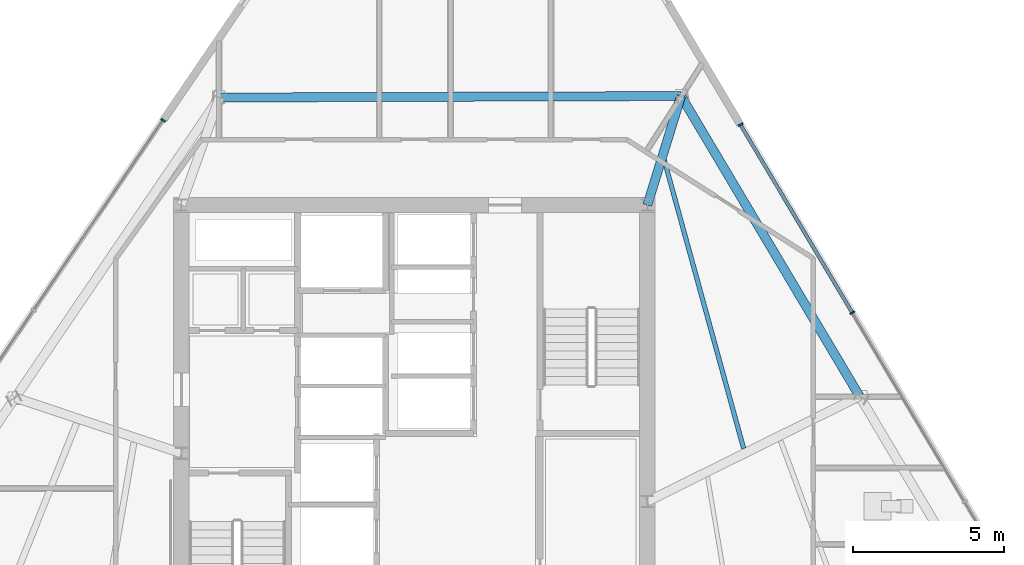
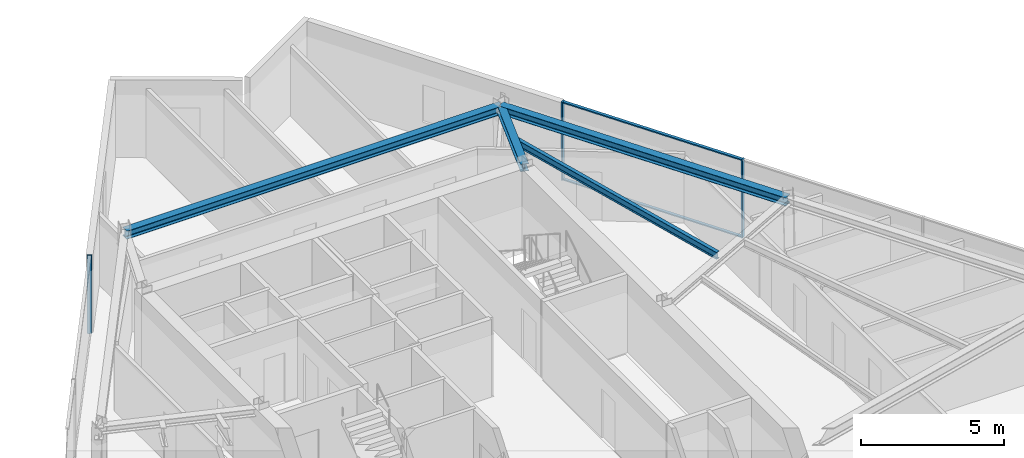
# One storey, part 6 of 14: 5 members, 4 beams, 2 elements without a shape of their own.
"""IFC4 building model written with IfcOpenShell, lengths in metres."""

from ifc_helpers import new_model, si_unit, direction, frame, origin, origin_2d, place, context, subcontext, project, spatial, rectangle, i_section, extrude, material, material_profile, profile_set, type_object, element, aggregate, save


model = new_model("IFC4")

# Units and contexts
model_context = context("Model", 3, precision=1e-05, world=origin(), true_north=direction((0.0, 1.0)))
body_context = subcontext(model_context, "Body", "Model", "MODEL_VIEW")
ifc_project = project(units=[si_unit("LENGTHUNIT", "METRE"), si_unit("AREAUNIT", "SQUARE_METRE"), si_unit("VOLUMEUNIT", "CUBIC_METRE"), si_unit("PLANEANGLEUNIT", "RADIAN"), si_unit("MASSUNIT", "GRAM", prefix="KILO")], contexts=[model_context])

# Site, building, storey
site_placement = place(None, origin())
site = spatial("IfcSite", under=ifc_project, at=site_placement, CompositionType="ELEMENT")
building_placement = place(site_placement, origin())
building = spatial("IfcBuilding", under=site, at=building_placement, Name="Savorim Split Tower", CompositionType="ELEMENT")
storey_placement = place(building_placement, frame((0.0, 0.0, 205.5)))
storey = spatial("IfcBuildingStorey", under=building, at=storey_placement, Name="L54", CompositionType="ELEMENT", Elevation=205.5)

# Beams
ifc_material_1 = material(Name="Steel S355", Category="steel")
ifc_material_profile_1 = material_profile(ifc_material_1, i_section(OverallWidth=0.14990234375, OverallDepth=0.300048828125, WebThickness=0.007080078125, FlangeThickness=0.0107421875, FilletRadius=0.014892578125, at=origin_2d()), Name="IPE 300")
ifc_profile_set_1 = profile_set([ifc_material_profile_1], Name="Steel S355")
beam_type_1 = type_object("IfcBeamType", Name="BM-JST-IPE300", PredefinedType="JOIST", material=ifc_profile_set_1)
beam_1_placement = place(storey_placement, frame((10.883056640625, 2.157470703125, 3.199951171875), z_axis=(-0.265399500236, 0.964138530127, 0.0), x_axis=(-0.964138530127, -0.265399500236, 0.0)))
element("IfcBeam", 1, at=beam_1_placement, inside=storey, type_object=beam_type_1, Name="L54 Secondary Floor Joist JS-07", PredefinedType="JOIST", context=body_context, shape_type="SweptSolid", body=[
    extrude(i_section(OverallWidth=0.14990234375, OverallDepth=0.300048828125, WebThickness=0.007080078125, FlangeThickness=0.0107421875, FilletRadius=0.014892578125, at=origin_2d()), origin(), (0.0, 0.0, 1.0), 9.89990234375),
])
ifc_material_profile_2 = material_profile(ifc_material_1, i_section(OverallWidth=0.300048828125, OverallDepth=0.320068359375, WebThickness=0.011474609375, FlangeThickness=0.0205078125, FilletRadius=0.027099609375, at=origin_2d()), Name="HEB 320")
ifc_profile_set_2 = profile_set([ifc_material_profile_2], Name="Steel S355")
beam_type_2 = type_object("IfcBeamType", Name="BM-PRI-HEB320", PredefinedType="BEAM", material=ifc_profile_set_2)
beam_2_placement = place(storey_placement, frame((8.8154296875, 13.8017578125, 3.18994140625), z_axis=(-0.295837071292, -0.955238413826, 0.0), x_axis=(0.955238413826, -0.295837071292, 0.0)))
element("IfcBeam", 2, at=beam_2_placement, inside=storey, type_object=beam_type_2, Name="L54 Primary Floor Girder RG-07", PredefinedType="BEAM", context=body_context, shape_type="SweptSolid", body=[
    extrude(i_section(OverallWidth=0.300048828125, OverallDepth=0.320068359375, WebThickness=0.011474609375, FlangeThickness=0.0205078125, FilletRadius=0.027099609375, at=origin_2d()), origin(), (0.0, 0.0, 1.0), 3.7705078125),
])
ifc_material_profile_3 = material_profile(ifc_material_1, i_section(OverallWidth=0.300048828125, OverallDepth=0.35009765625, WebThickness=0.010009765625, FlangeThickness=0.017578125, FilletRadius=0.027099609375, at=origin_2d()), Name="HEA 360")
ifc_profile_set_3 = profile_set([ifc_material_profile_3], Name="Steel S355")
beam_type_3 = type_object("IfcBeamType", Name="BM-SPN-HEA360", PredefinedType="SPANDREL", material=ifc_profile_set_3)
beam_3_placement = place(storey_placement, frame((14.712158203125, 3.885009765625, 3.175048828125), z_axis=(-0.511093561473, 0.859525084812, 0.0), x_axis=(-0.859525084812, -0.511093561473, 0.0)))
element("IfcBeam", 3, at=beam_3_placement, inside=storey, type_object=beam_type_3, Name="L54 Perimeter Spandrel Beam 6", PredefinedType="SPANDREL", context=body_context, shape_type="SweptSolid", body=[
    extrude(i_section(OverallWidth=0.300048828125, OverallDepth=0.35009765625, WebThickness=0.010009765625, FlangeThickness=0.017578125, FilletRadius=0.027099609375, at=origin_2d()), origin(), (0.0, 0.0, 1.0), 11.537353515625),
])
beam_4_placement = place(storey_placement, frame((8.8154296875, 13.8017578125, 3.175048828125), z_axis=(-0.999994877581, -0.003200751789, 0.0), x_axis=(0.003200751789, -0.999994877581, 0.0)))
element("IfcBeam", 4, at=beam_4_placement, inside=storey, type_object=beam_type_3, Name="L54 Perimeter Spandrel Beam 7", PredefinedType="SPANDREL", context=body_context, shape_type="SweptSolid", body=[
    extrude(i_section(OverallWidth=0.300048828125, OverallDepth=0.35009765625, WebThickness=0.010009765625, FlangeThickness=0.017578125, FilletRadius=0.027099609375, at=origin_2d()), origin(), (0.0, 0.0, 1.0), 15.255126953125),
])

# Curtain wall, members
ifc_material_2 = material(Name="Dark Ceramic-Fritted Insulated Glass", Category="glass")
curtain_wall_type = type_object("IfcCurtainWallType", Name="CW-TWR-FRIT-B", PredefinedType="NOTDEFINED", material=ifc_material_2)
curtain_wall_1_placement = place(storey_placement, origin())
curtain_wall_1 = element("IfcCurtainWall", 5, at=curtain_wall_1_placement, inside=storey, type_object=curtain_wall_type, Name="L54 Curtain Wall CW-L54-EAST", PredefinedType="NOTDEFINED")
ifc_material_3 = material(Name="Charcoal Anodised Aluminium", Category="aluminium")
ifc_material_profile_4 = material_profile(ifc_material_3, rectangle(XDim=0.159912109375, YDim=0.06005859375, at=origin_2d()), Name="ALU-M 160x60")
ifc_profile_set_4 = profile_set([ifc_material_profile_4], Name="Charcoal Anodised Aluminium")
member_type_1 = type_object("IfcMemberType", Name="CWM-160x60", PredefinedType="MULLION", material=ifc_profile_set_4)
member_1_placement = place(storey_placement, frame((14.473388671875, 6.641357421875, 0.0), z_axis=(0.0, 0.0, 1.0), x_axis=(-0.859525909056, -0.511092175308, 0.0)))
member_1 = element("IfcMember", 6, at=member_1_placement, type_object=member_type_1, Name="CW-03 mullion 4", PredefinedType="MULLION", context=body_context, shape_type="SweptSolid", body=[
    extrude(rectangle(XDim=0.159912109375, YDim=0.06005859375, at=origin_2d()), origin(), (0.0, 0.0, 1.0), 3.35009765625),
])
member_2_placement = place(storey_placement, frame((10.779296875, 12.853759765625, 0.0), z_axis=(0.0, 0.0, 1.0), x_axis=(-0.859525909056, -0.511092175308, 0.0)))
member_2 = element("IfcMember", 7, at=member_2_placement, type_object=member_type_1, Name="CW-03 mullion 5", PredefinedType="MULLION", context=body_context, shape_type="SweptSolid", body=[
    extrude(rectangle(XDim=0.159912109375, YDim=0.06005859375, at=origin_2d()), origin(), (0.0, 0.0, 1.0), 3.35009765625),
])

# Curtain wall, member
curtain_wall_2_placement = place(storey_placement, origin())
curtain_wall_2 = element("IfcCurtainWall", 8, at=curtain_wall_2_placement, inside=storey, type_object=curtain_wall_type, Name="L54 Curtain Wall CW-L54-WEST", PredefinedType="NOTDEFINED")
member_3_placement = place(storey_placement, frame((-8.30078125, 13.0009765625, 0.0), z_axis=(0.0, 0.0, 1.0), x_axis=(0.826820907104, -0.562465276773, 0.0)))
member_3 = element("IfcMember", 9, at=member_3_placement, type_object=member_type_1, Name="CW-03 mullion 1", PredefinedType="MULLION", context=body_context, shape_type="SweptSolid", body=[
    extrude(rectangle(XDim=0.159912109375, YDim=0.06005859375, at=origin_2d()), origin(), (0.0, 0.0, 1.0), 3.35009765625),
])
aggregate(curtain_wall_2, [member_3])

# Member
ifc_material_profile_5 = material_profile(ifc_material_3, rectangle(XDim=0.1201171875, YDim=0.050048828125, at=origin_2d()), Name="ALU-T 120x50")
ifc_profile_set_5 = profile_set([ifc_material_profile_5], Name="Charcoal Anodised Aluminium")
member_type_2 = type_object("IfcMemberType", Name="CWT-120x50", PredefinedType="USERDEFINED", material=ifc_profile_set_5)
member_4_placement = place(storey_placement, frame((14.4580078125, 6.667236328125, 0.02490234375), z_axis=(-0.511085594604, 0.859529822047, 0.0), x_axis=(-0.859529822047, -0.511085594604, 0.0)))
member_4 = element("IfcMember", 10, at=member_4_placement, type_object=member_type_2, Name="CW-03 transom 4.1", ObjectType="TRANSOM", PredefinedType="USERDEFINED", context=body_context, shape_type="SweptSolid", body=[
    extrude(rectangle(XDim=0.1201171875, YDim=0.050048828125, at=origin_2d()), origin(), (0.0, 0.0, 1.0), 7.167724609375),
])

member_5_placement = place(storey_placement, frame((14.4580078125, 6.667236328125, 3.324951171875), z_axis=(-0.511085594604, 0.859529822047, 0.0), x_axis=(-0.859529822047, -0.511085594604, 0.0)))
member_5 = element("IfcMember", 11, at=member_5_placement, type_object=member_type_2, Name="CW-03 transom 4.2", ObjectType="TRANSOM", PredefinedType="USERDEFINED", context=body_context, shape_type="SweptSolid", body=[
    extrude(rectangle(XDim=0.1201171875, YDim=0.050048828125, at=origin_2d()), origin(), (0.0, 0.0, 1.0), 7.167724609375),
])

aggregate(curtain_wall_1, [member_1, member_2, member_4, member_5])

save(model, "model.ifc")
